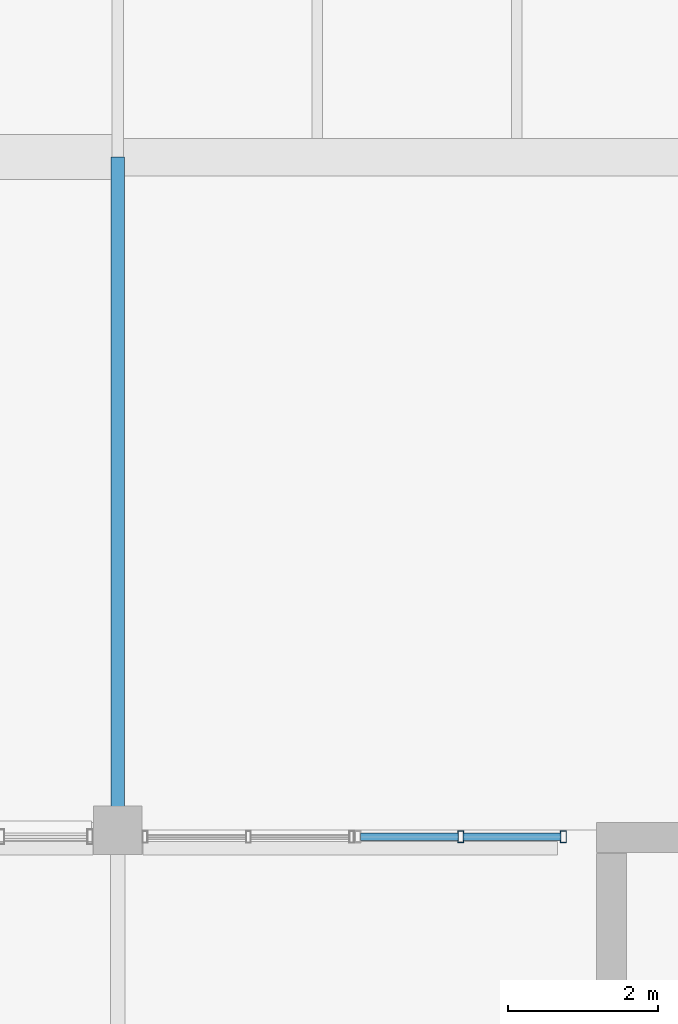
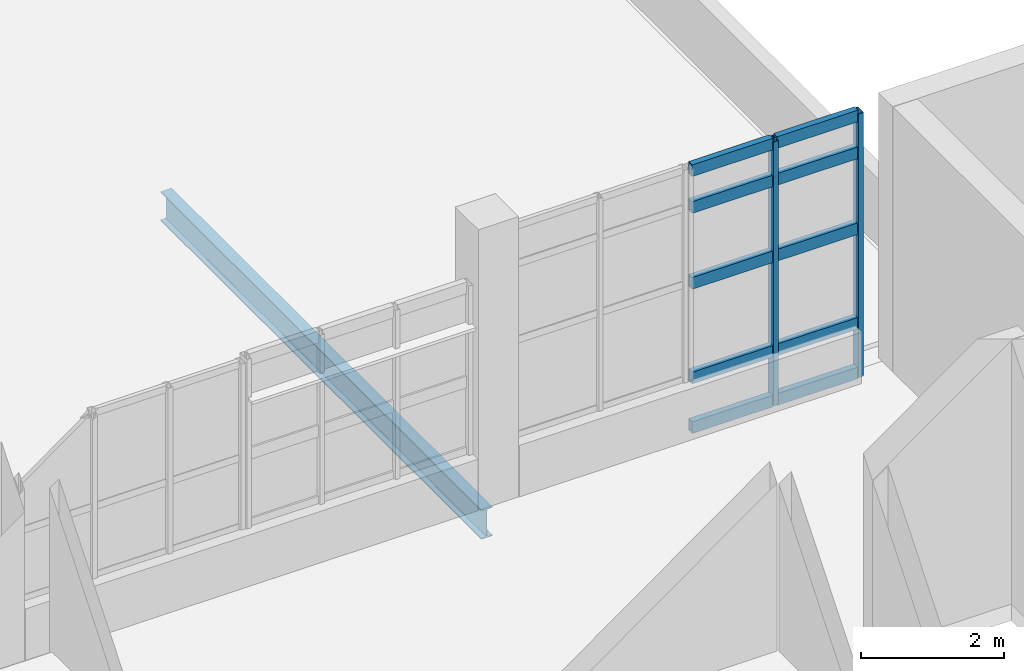
# One storey, part 69 of 127: 12 members, 1 beam, 1 element without a shape of its own.
"""IFC4 building model written with IfcOpenShell, lengths in metres."""

from ifc_helpers import new_model, si_unit, derived_unit, direction, frame, origin, origin_2d, place, context, subcontext, project, spatial, hollow_rectangle, i_section, extrude, material, layer, layer_set, material_profile, profile_set, type_object, element, aggregate, save


model = new_model("IFC4")

# Units and contexts
model_context = context("Model", 3, precision=1e-05, world=origin(), true_north=direction((0.0, 1.0)))
body_context = subcontext(model_context, "Body", "Model", "MODEL_VIEW")
ifc_project = project(units=[si_unit("LENGTHUNIT", "METRE"), si_unit("AREAUNIT", "SQUARE_METRE"), si_unit("VOLUMEUNIT", "CUBIC_METRE"), si_unit("PLANEANGLEUNIT", "RADIAN"), si_unit("MASSUNIT", "GRAM", prefix="KILO"), derived_unit("THERMALTRANSMITTANCEUNIT", [(si_unit("POWERUNIT", "WATT"), 1), (si_unit("LENGTHUNIT", "METRE"), -2), (si_unit("THERMODYNAMICTEMPERATUREUNIT", "KELVIN"), -1)])], contexts=[model_context])

# Site, building, storey
site_placement = place(None, origin())
site = spatial("IfcSite", under=ifc_project, at=site_placement, CompositionType="ELEMENT")
building_placement = place(site_placement, origin())
building = spatial("IfcBuilding", under=site, at=building_placement, Name="Nallur Shell Playhouse", CompositionType="ELEMENT")
storey_placement = place(building_placement, frame((0.0, 0.0, 5.39990234375)))
storey = spatial("IfcBuildingStorey", under=building, at=storey_placement, Name="L02", CompositionType="ELEMENT", Elevation=5.39990234375)

# Beam
ifc_material_1 = material(Name="Steel E350", Category="steel")
ifc_material_profile_1 = material_profile(ifc_material_1, i_section(OverallWidth=0.179931640625, OverallDepth=0.5, WebThickness=0.01025390625, FlangeThickness=0.01708984375, FilletRadius=0.01708984375, at=origin_2d()), Name="ISMB 500")
ifc_profile_set_1 = profile_set([ifc_material_profile_1], Name="Steel E350")
beam_type = type_object("IfcBeamType", Name="BM-ST-ISMB500", PredefinedType="BEAM", material=ifc_profile_set_1)
beam_placement = place(storey_placement, frame((48.0, 83.0, -0.52978515625), z_axis=(0.0, 1.0, 0.0), x_axis=(-1.0, 0.0, 0.0)))
element("IfcBeam", 1, at=beam_placement, inside=storey, type_object=beam_type, Name="L02 girder Y-6-426", PredefinedType="BEAM", context=body_context, shape_type="SweptSolid", body=[
    extrude(i_section(OverallWidth=0.179931640625, OverallDepth=0.5, WebThickness=0.01025390625, FlangeThickness=0.01708984375, FilletRadius=0.01708984375, at=origin_2d()), origin(), (0.0, 0.0, 1.0), 9.0),
])

# Curtain wall, members
ifc_material_2 = material(Name="Anodised Aluminium Double-Glazed Facade System", Category="aluminium")
ifc_layer = layer(ifc_material_2, 0.16796875)
ifc_layer_set = layer_set([ifc_layer], Name="Anodised Aluminium Double-Glazed Facade System")
curtain_wall_type = type_object("IfcCurtainWallType", Name="CW-UNIT-26", PredefinedType="NOTDEFINED", material=ifc_layer_set)
curtain_wall_placement = place(storey_placement, origin())
curtain_wall = element("IfcCurtainWall", 2, at=curtain_wall_placement, inside=storey, type_object=curtain_wall_type, Name="Unitised curtain wall CW-026 (L02)", PredefinedType="NOTDEFINED")
ifc_material_3 = material(Name="Aluminium Alloy 6063-T6 Mullion", Category="aluminium")
ifc_material_profile_2 = material_profile(ifc_material_3, hollow_rectangle(XDim=0.080078125, YDim=0.159912109375, WallThickness=0.006103515625, at=origin_2d()), Name="RHS 160x80x6")
ifc_profile_set_2 = profile_set([ifc_material_profile_2], Name="Aluminium Alloy 6063-T6 Mullion")
member_type_1 = type_object("IfcMemberType", Name="MB-CW-MUL150", PredefinedType="MULLION", material=ifc_profile_set_2)
member_1_placement = place(storey_placement, frame((52.585693359375, 82.909912109375, -0.014892578125), z_axis=(0.0, 0.0, 1.0), x_axis=(1.0, 0.0, 0.0)))
member_1 = element("IfcMember", 3, at=member_1_placement, type_object=member_type_1, Name="CW-26 mullion 2", PredefinedType="MULLION", context=body_context, shape_type="SweptSolid", body=[
    extrude(hollow_rectangle(XDim=0.080078125, YDim=0.159912109375, WallThickness=0.006103515625, at=origin_2d()), origin(), (0.0, 0.0, 1.0), 4.51904296875),
])
member_2_placement = place(storey_placement, frame((53.9599609375, 82.909912109375, -0.014892578125), z_axis=(0.0, 0.0, 1.0), x_axis=(1.0, 0.0, 0.0)))
member_2 = element("IfcMember", 4, at=member_2_placement, type_object=member_type_1, Name="CW-26 mullion 3", PredefinedType="MULLION", context=body_context, shape_type="SweptSolid", body=[
    extrude(hollow_rectangle(XDim=0.080078125, YDim=0.159912109375, WallThickness=0.006103515625, at=origin_2d()), origin(), (0.0, 0.0, 1.0), 4.51904296875),
])
ifc_material_4 = material(Name="Aluminium Alloy 6063-T6 Transom", Category="aluminium")
ifc_material_profile_3 = material_profile(ifc_material_4, hollow_rectangle(XDim=0.10009765625, YDim=0.199951171875, WallThickness=0.008056640625, at=origin_2d()), Name="RHS 200x100x8")
ifc_profile_set_3 = profile_set([ifc_material_profile_3], Name="Aluminium Alloy 6063-T6 Transom")
member_type_2 = type_object("IfcMemberType", Name="MB-CW-TRN140", PredefinedType="USERDEFINED", material=ifc_profile_set_3)
member_3_placement = place(storey_placement, frame((51.243408203125, 82.909912109375, 0.050048828125), z_axis=(1.0, 0.0, 0.0), x_axis=(0.0, 1.0, 0.0)))
member_3 = element("IfcMember", 5, at=member_3_placement, type_object=member_type_2, Name="CW-26 transom 1.1", ObjectType="TRANSOM", PredefinedType="USERDEFINED", context=body_context, shape_type="SweptSolid", body=[
    extrude(hollow_rectangle(XDim=0.10009765625, YDim=0.199951171875, WallThickness=0.008056640625, at=origin_2d()), origin(), (0.0, 0.0, 1.0), 1.310302734375),
])
member_4_placement = place(storey_placement, frame((51.243408203125, 82.909912109375, 0.900146484375), z_axis=(1.0, 0.0, 0.0), x_axis=(0.0, 1.0, 0.0)))
member_4 = element("IfcMember", 6, at=member_4_placement, type_object=member_type_2, Name="CW-26 transom 1.2", ObjectType="TRANSOM", PredefinedType="USERDEFINED", context=body_context, shape_type="SweptSolid", body=[
    extrude(hollow_rectangle(XDim=0.10009765625, YDim=0.199951171875, WallThickness=0.008056640625, at=origin_2d()), origin(), (0.0, 0.0, 1.0), 1.310302734375),
])
member_5_placement = place(storey_placement, frame((51.243408203125, 82.909912109375, 2.52001953125), z_axis=(1.0, 0.0, 0.0), x_axis=(0.0, 1.0, 0.0)))
member_5 = element("IfcMember", 7, at=member_5_placement, type_object=member_type_2, Name="CW-26 transom 1.3", ObjectType="TRANSOM", PredefinedType="USERDEFINED", context=body_context, shape_type="SweptSolid", body=[
    extrude(hollow_rectangle(XDim=0.10009765625, YDim=0.199951171875, WallThickness=0.008056640625, at=origin_2d()), origin(), (0.0, 0.0, 1.0), 1.310302734375),
])
member_6_placement = place(storey_placement, frame((51.243408203125, 82.909912109375, 3.820068359375), z_axis=(1.0, 0.0, 0.0), x_axis=(0.0, 1.0, 0.0)))
member_6 = element("IfcMember", 8, at=member_6_placement, type_object=member_type_2, Name="CW-26 transom 1.4", ObjectType="TRANSOM", PredefinedType="USERDEFINED", context=body_context, shape_type="SweptSolid", body=[
    extrude(hollow_rectangle(XDim=0.10009765625, YDim=0.199951171875, WallThickness=0.008056640625, at=origin_2d()), origin(), (0.0, 0.0, 1.0), 1.310302734375),
])
member_7_placement = place(storey_placement, frame((51.243408203125, 82.909912109375, 4.4501953125), z_axis=(1.0, 0.0, 0.0), x_axis=(0.0, 1.0, 0.0)))
member_7 = element("IfcMember", 9, at=member_7_placement, type_object=member_type_2, Name="CW-26 transom 1.5", ObjectType="TRANSOM", PredefinedType="USERDEFINED", context=body_context, shape_type="SweptSolid", body=[
    extrude(hollow_rectangle(XDim=0.10009765625, YDim=0.199951171875, WallThickness=0.008056640625, at=origin_2d()), origin(), (0.0, 0.0, 1.0), 1.310302734375),
])
member_8_placement = place(storey_placement, frame((52.61767578125, 82.909912109375, 0.050048828125), z_axis=(1.0, 0.0, 0.0), x_axis=(0.0, 1.0, 0.0)))
member_8 = element("IfcMember", 10, at=member_8_placement, type_object=member_type_2, Name="CW-26 transom 2.1", ObjectType="TRANSOM", PredefinedType="USERDEFINED", context=body_context, shape_type="SweptSolid", body=[
    extrude(hollow_rectangle(XDim=0.10009765625, YDim=0.199951171875, WallThickness=0.008056640625, at=origin_2d()), origin(), (0.0, 0.0, 1.0), 1.310302734375),
])
member_9_placement = place(storey_placement, frame((52.61767578125, 82.909912109375, 0.900146484375), z_axis=(1.0, 0.0, 0.0), x_axis=(0.0, 1.0, 0.0)))
member_9 = element("IfcMember", 11, at=member_9_placement, type_object=member_type_2, Name="CW-26 transom 2.2", ObjectType="TRANSOM", PredefinedType="USERDEFINED", context=body_context, shape_type="SweptSolid", body=[
    extrude(hollow_rectangle(XDim=0.10009765625, YDim=0.199951171875, WallThickness=0.008056640625, at=origin_2d()), origin(), (0.0, 0.0, 1.0), 1.310302734375),
])
member_10_placement = place(storey_placement, frame((52.61767578125, 82.909912109375, 2.52001953125), z_axis=(1.0, 0.0, 0.0), x_axis=(0.0, 1.0, 0.0)))
member_10 = element("IfcMember", 12, at=member_10_placement, type_object=member_type_2, Name="CW-26 transom 2.3", ObjectType="TRANSOM", PredefinedType="USERDEFINED", context=body_context, shape_type="SweptSolid", body=[
    extrude(hollow_rectangle(XDim=0.10009765625, YDim=0.199951171875, WallThickness=0.008056640625, at=origin_2d()), origin(), (0.0, 0.0, 1.0), 1.310302734375),
])
member_11_placement = place(storey_placement, frame((52.61767578125, 82.909912109375, 3.820068359375), z_axis=(1.0, 0.0, 0.0), x_axis=(0.0, 1.0, 0.0)))
member_11 = element("IfcMember", 13, at=member_11_placement, type_object=member_type_2, Name="CW-26 transom 2.4", ObjectType="TRANSOM", PredefinedType="USERDEFINED", context=body_context, shape_type="SweptSolid", body=[
    extrude(hollow_rectangle(XDim=0.10009765625, YDim=0.199951171875, WallThickness=0.008056640625, at=origin_2d()), origin(), (0.0, 0.0, 1.0), 1.310302734375),
])
member_12_placement = place(storey_placement, frame((52.61767578125, 82.909912109375, 4.4501953125), z_axis=(1.0, 0.0, 0.0), x_axis=(0.0, 1.0, 0.0)))
member_12 = element("IfcMember", 14, at=member_12_placement, type_object=member_type_2, Name="CW-26 transom 2.5", ObjectType="TRANSOM", PredefinedType="USERDEFINED", context=body_context, shape_type="SweptSolid", body=[
    extrude(hollow_rectangle(XDim=0.10009765625, YDim=0.199951171875, WallThickness=0.008056640625, at=origin_2d()), origin(), (0.0, 0.0, 1.0), 1.310302734375),
])
aggregate(curtain_wall, [member_1, member_2, member_3, member_4, member_5, member_6, member_7, member_8, member_9, member_10, member_11, member_12])

save(model, "model.ifc")
